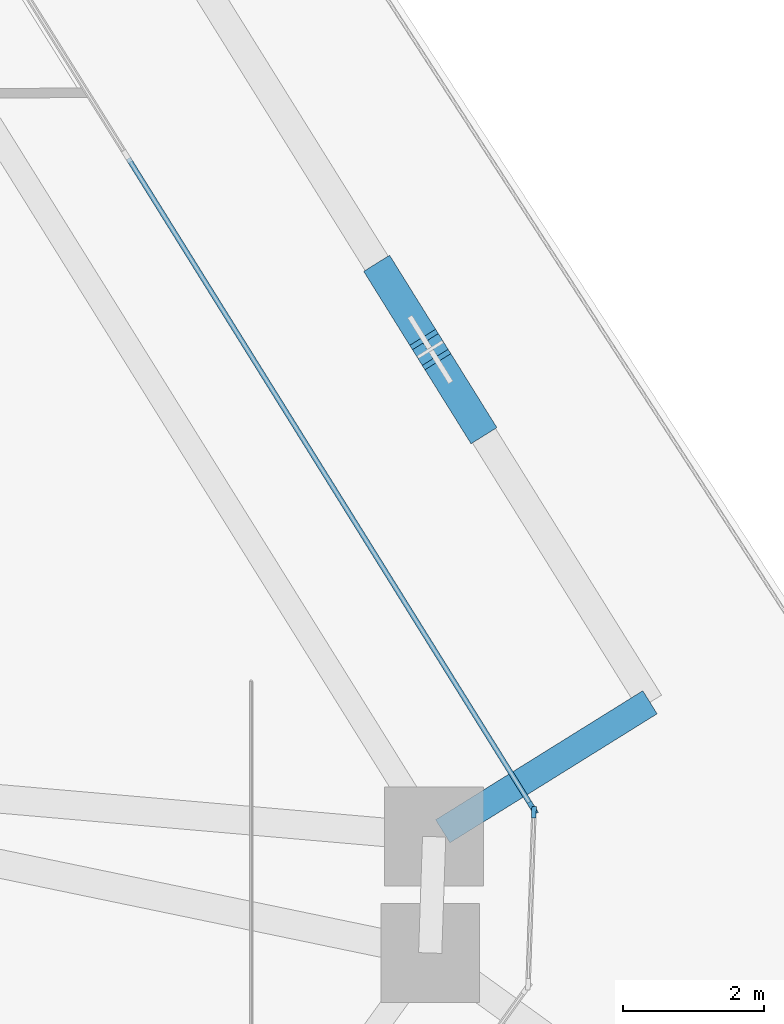
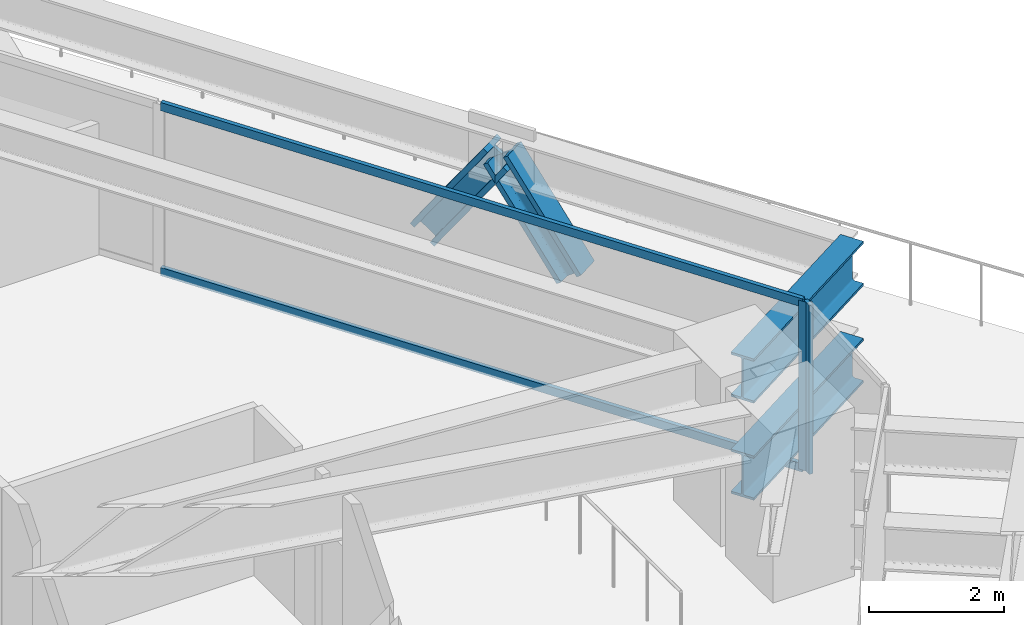
# One storey, part 6 of 20: 6 members, 2 beams, 2 elements without a shape of their own.
"""IFC4 building model written with IfcOpenShell, lengths in metres."""

from ifc_helpers import new_model, si_unit, direction, frame, origin, origin_2d, place, context, subcontext, project, spatial, rectangle, i_section, extrude, source, transform, mapped, material, layer, layer_set, material_profile, profile_set, type_object, type_shapes, element, aggregate, save


model = new_model("IFC4")

# Units and contexts
model_context = context("Model", 3, precision=1e-05, world=origin(), true_north=direction((0.0, 1.0)))
body_context = subcontext(model_context, "Body", "Model", "MODEL_VIEW")
ifc_project = project(units=[si_unit("LENGTHUNIT", "METRE"), si_unit("AREAUNIT", "SQUARE_METRE"), si_unit("VOLUMEUNIT", "CUBIC_METRE"), si_unit("PLANEANGLEUNIT", "RADIAN"), si_unit("MASSUNIT", "GRAM", prefix="KILO")], contexts=[model_context])

# Site, building, storey
site_placement = place(None, origin())
site = spatial("IfcSite", under=ifc_project, at=site_placement, CompositionType="ELEMENT")
building_placement = place(site_placement, origin())
building = spatial("IfcBuilding", under=site, at=building_placement, Name="Durnholm Broadcast Tower", CompositionType="ELEMENT")
storey_placement = place(building_placement, frame((0.0, 0.0, 32.39990234375)))
storey = spatial("IfcBuildingStorey", under=building, at=storey_placement, Name="L06", CompositionType="ELEMENT", Elevation=32.39990234375)

# Beams
ifc_material_1 = material(Name="Steel ASTM A992 Grade 50", Category="steel")
ifc_material_profile_1 = material_profile(ifc_material_1, i_section(OverallWidth=0.385009765625, OverallDepth=0.802978515625, WebThickness=0.023681640625, FlangeThickness=0.0419921875, FilletRadius=0.032958984375, at=origin_2d()), Name="W30X261")
ifc_profile_set_1 = profile_set([ifc_material_profile_1], Name="Steel ASTM A992 Grade 50")
beam_type = type_object("IfcBeamType", Name="BM-EXO-TIE", PredefinedType="USERDEFINED", material=ifc_profile_set_1)
shared_shape_1 = source(origin(), body_context, "Body", "SweptSolid", [
    extrude(i_section(OverallWidth=0.385009765625, OverallDepth=0.802978515625, WebThickness=0.023681640625, FlangeThickness=0.0419921875, FilletRadius=0.032958984375, at=origin_2d()), origin(), (0.0, 0.0, 1.0), 3.4560546875),
])
type_shapes(beam_type, [shared_shape_1])
for number, where, z_axis, x_axis, name in (
    (1, (24.212890625, 0.375732421875, 0.550048828125), (0.848874183218, 0.528594949906, 0.0), (-0.528594949906, 0.848874183218, 0.0), "L06 zone-base exoskeleton stand-off tie bracket F3.1"),
    (2, (24.212890625, 0.375732421875, 2.30859375), (0.848874183218, 0.528594949906, 0.0), (-0.528594949906, 0.848874183218, 0.0), "L06 exoskeleton stand-off tie bracket F3.1"),
):
    element("IfcBeam", number, at=place(storey_placement, frame(where, z_axis=z_axis, x_axis=x_axis)), inside=storey, type_object=beam_type, Name=name, ObjectType="GIRDER", PredefinedType="USERDEFINED", context=body_context, shape_type="MappedRepresentation", body=[
        mapped(shared_shape_1, transform((0.0, 0.0, 0.0), x_axis=(1.0, 0.0, 0.0), y_axis=(0.0, 1.0, 0.0), z_axis=(0.0, 0.0, 1.0), scale=1.0)),
    ])

# Members
ifc_material_2 = material(Name="Steel ASTM A913 Grade 65", Category="steel")
ifc_material_profile_2 = material_profile(ifc_material_2, i_section(OverallWidth=0.43212890625, OverallDepth=0.497802734375, WebThickness=0.0556640625, FlangeThickness=0.0888671875, FilletRadius=0.030517578125, at=origin_2d()), Name="W14X500")
ifc_profile_set_2 = profile_set([ifc_material_profile_2], Name="Steel ASTM A913 Grade 65")
member_type_1 = type_object("IfcMemberType", Name="STL-DG-W14X500", PredefinedType="BRACE", material=ifc_profile_set_2)
shared_shape_2 = source(origin(), body_context, "Body", "SweptSolid", [
    extrude(i_section(OverallWidth=0.43212890625, OverallDepth=0.497802734375, WebThickness=0.0556640625, FlangeThickness=0.0888671875, FilletRadius=0.030517578125, at=origin_2d()), origin(), (0.0, 0.0, 1.0), 2.148193359375),
])
type_shapes(member_type_1, [shared_shape_2])
for number, where, z_axis, x_axis, name in (
    (3, (24.688720703125, 6.150146484375, 0.550048828125), (-0.303662062675, 0.487541260807, 0.818592005033), (-0.848819847179, -0.528682198523, 0.0), "L06 stand-off diagrid brace F3.D1.1"),
    (4, (23.38427734375, 8.244873046875, 0.550048828125), (0.303558890723, -0.487558083565, 0.818620250796), (0.848908635391, 0.528539618911, 0.0), "L06 stand-off diagrid brace F3.D1.2"),
):
    element("IfcMember", number, at=place(storey_placement, frame(where, z_axis=z_axis, x_axis=x_axis)), inside=storey, type_object=member_type_1, Name=name, PredefinedType="BRACE", context=body_context, shape_type="MappedRepresentation", body=[
        mapped(shared_shape_2, transform((0.0, 0.0, 0.0), x_axis=(1.0, 0.0, 0.0), y_axis=(0.0, 1.0, 0.0), z_axis=(0.0, 0.0, 1.0), scale=1.0)),
    ])

# Curtain wall, member
ifc_material_3 = material(Name="Aluminium and Solar Control IGU", Category="aluminium")
ifc_layer_1 = layer(ifc_material_3, 0.1650390625)
ifc_layer_set_1 = layer_set([ifc_layer_1], Name="Aluminium and Solar Control IGU")
curtain_wall_type_1 = type_object("IfcCurtainWallType", Name="CW-SYS-5", PredefinedType="NOTDEFINED", material=ifc_layer_set_1)
curtain_wall_1_placement = place(storey_placement, origin())
curtain_wall_1 = element("IfcCurtainWall", 5, at=curtain_wall_1_placement, inside=storey, type_object=curtain_wall_type_1, Name="L06 curtain wall CW-CORNER CW-L06-CRN-07", PredefinedType="NOTDEFINED")
ifc_material_4 = material(Name="Aluminium 6063-T6", Category="aluminium")
ifc_material_profile_3 = material_profile(ifc_material_4, rectangle(XDim=0.06494140625, YDim=0.1650390625, at=origin_2d()), Name="CWM65X165")
ifc_profile_set_3 = profile_set([ifc_material_profile_3], Name="Aluminium 6063-T6")
member_type_2 = type_object("IfcMemberType", Name="CW-SYS-5-MUL", PredefinedType="MULLION", material=ifc_profile_set_3)
shared_shape_3 = source(origin(), body_context, "Body", "SweptSolid", [
    extrude(rectangle(XDim=0.06494140625, YDim=0.1650390625, at=origin_2d()), origin(), (0.0, 0.0, 1.0), 3.06005859375),
])
type_shapes(member_type_2, [shared_shape_3])
member_1_placement = place(storey_placement, frame((25.50341796875, 0.6455078125, 0.0), z_axis=(0.0, 0.0, 1.0), x_axis=(0.999427277772, -0.033839569233, 0.0)))
member_1 = element("IfcMember", 6, at=member_1_placement, type_object=member_type_2, Name="CW-CORNER mullion 1", PredefinedType="MULLION", context=body_context, shape_type="MappedRepresentation", body=[
    mapped(shared_shape_3, transform((0.0, 0.0, 0.0), x_axis=(1.0, 0.0, 0.0), y_axis=(0.0, 1.0, 0.0), z_axis=(0.0, 0.0, 1.0), scale=1.0)),
])
aggregate(curtain_wall_1, [member_1])

# Curtain wall, members
ifc_layer_2 = layer(ifc_material_3, 0.18994140625)
ifc_layer_set_2 = layer_set([ifc_layer_2], Name="Aluminium and Solar Control IGU")
curtain_wall_type_2 = type_object("IfcCurtainWallType", Name="CW-SYS-3", PredefinedType="NOTDEFINED", material=ifc_layer_set_2)
curtain_wall_2_placement = place(storey_placement, origin())
curtain_wall_2 = element("IfcCurtainWall", 7, at=curtain_wall_2_placement, inside=storey, type_object=curtain_wall_type_2, Name="L06 curtain wall CW-Z12-VIS CW-L06-F06", PredefinedType="NOTDEFINED")
ifc_material_profile_4 = material_profile(ifc_material_4, rectangle(XDim=0.070068359375, YDim=0.18994140625, at=origin_2d()), Name="CWM70X190")
ifc_profile_set_4 = profile_set([ifc_material_profile_4], Name="Aluminium 6063-T6")
member_type_3 = type_object("IfcMemberType", Name="CW-SYS-3-MUL", PredefinedType="MULLION", material=ifc_profile_set_4)
shared_shape_4 = source(origin(), body_context, "Body", "SweptSolid", [
    extrude(rectangle(XDim=0.070068359375, YDim=0.18994140625, at=origin_2d()), origin(), (0.0, 0.0, 1.0), 3.06005859375),
])
type_shapes(member_type_3, [shared_shape_4])
member_2_placement = place(storey_placement, frame((25.48583984375, 0.707763671875, 0.0), z_axis=(0.0, 0.0, 1.0), x_axis=(0.848875785503, 0.528592376777, 0.0)))
member_2 = element("IfcMember", 8, at=member_2_placement, type_object=member_type_3, Name="CW-Z12-VIS mullion 3", PredefinedType="MULLION", context=body_context, shape_type="MappedRepresentation", body=[
    mapped(shared_shape_4, transform((0.0, 0.0, 0.0), x_axis=(1.0, 0.0, 0.0), y_axis=(0.0, 1.0, 0.0), z_axis=(0.0, 0.0, 1.0), scale=1.0)),
])
ifc_material_profile_5 = material_profile(ifc_material_4, rectangle(XDim=0.070068359375, YDim=0.14990234375, at=origin_2d()), Name="CWT70X150")
ifc_profile_set_5 = profile_set([ifc_material_profile_5], Name="Aluminium 6063-T6")
member_type_4 = type_object("IfcMemberType", Name="CW-SYS-3-TRN", PredefinedType="USERDEFINED", material=ifc_profile_set_5)
shared_shape_5 = source(origin(), body_context, "Body", "SweptSolid", [
    extrude(rectangle(XDim=0.070068359375, YDim=0.14990234375, at=origin_2d()), origin(), (0.0, 0.0, 1.0), 10.796630859375),
])
type_shapes(member_type_4, [shared_shape_5])
member_3_placement = place(storey_placement, frame((19.760498046875, 9.902587890625, 0.03515625), z_axis=(0.528575362968, -0.848886379714, 0.0), x_axis=(0.848886379714, 0.528575362968, 0.0)))
member_3 = element("IfcMember", 9, at=member_3_placement, type_object=member_type_4, Name="CW-Z12-VIS transom 2.1", ObjectType="TRANSOM", PredefinedType="USERDEFINED", context=body_context, shape_type="MappedRepresentation", body=[
    mapped(shared_shape_5, transform((0.0, 0.0, 0.0), x_axis=(1.0, 0.0, 0.0), y_axis=(0.0, 1.0, 0.0), z_axis=(0.0, 0.0, 1.0), scale=1.0)),
])
member_4_placement = place(storey_placement, frame((19.760498046875, 9.902587890625, 3.025146484375), z_axis=(0.528575362968, -0.848886379714, 0.0), x_axis=(0.848886379714, 0.528575362968, 0.0)))
member_4 = element("IfcMember", 10, at=member_4_placement, type_object=member_type_4, Name="CW-Z12-VIS transom 2.2", ObjectType="TRANSOM", PredefinedType="USERDEFINED", context=body_context, shape_type="MappedRepresentation", body=[
    mapped(shared_shape_5, transform((0.0, 0.0, 0.0), x_axis=(1.0, 0.0, 0.0), y_axis=(0.0, 1.0, 0.0), z_axis=(0.0, 0.0, 1.0), scale=1.0)),
])
aggregate(curtain_wall_2, [member_2, member_3, member_4])

save(model, "model.ifc")
